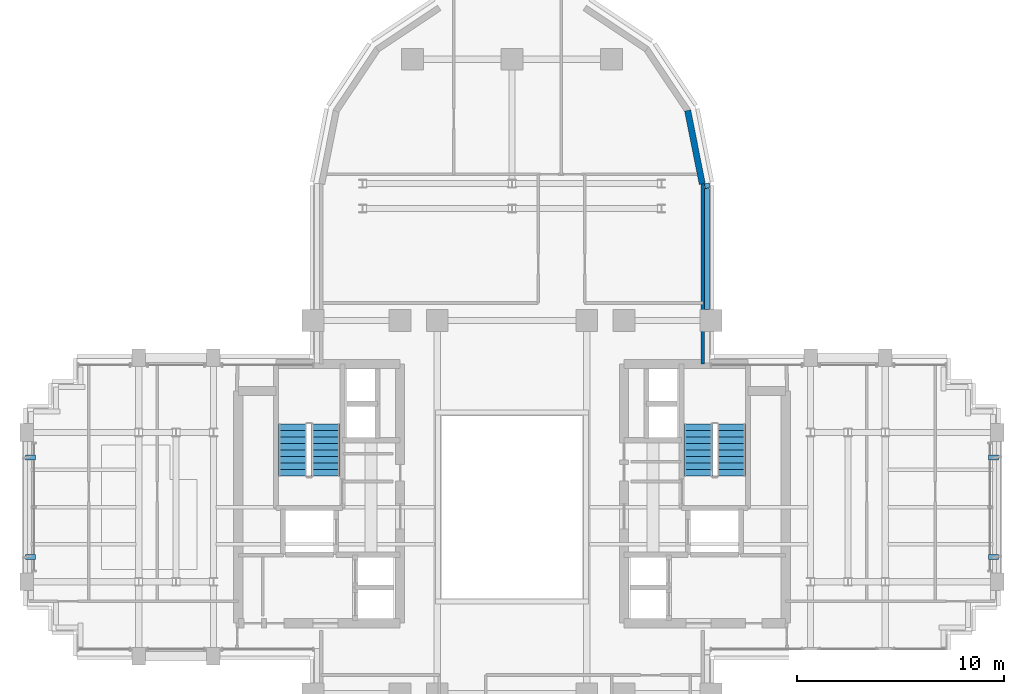
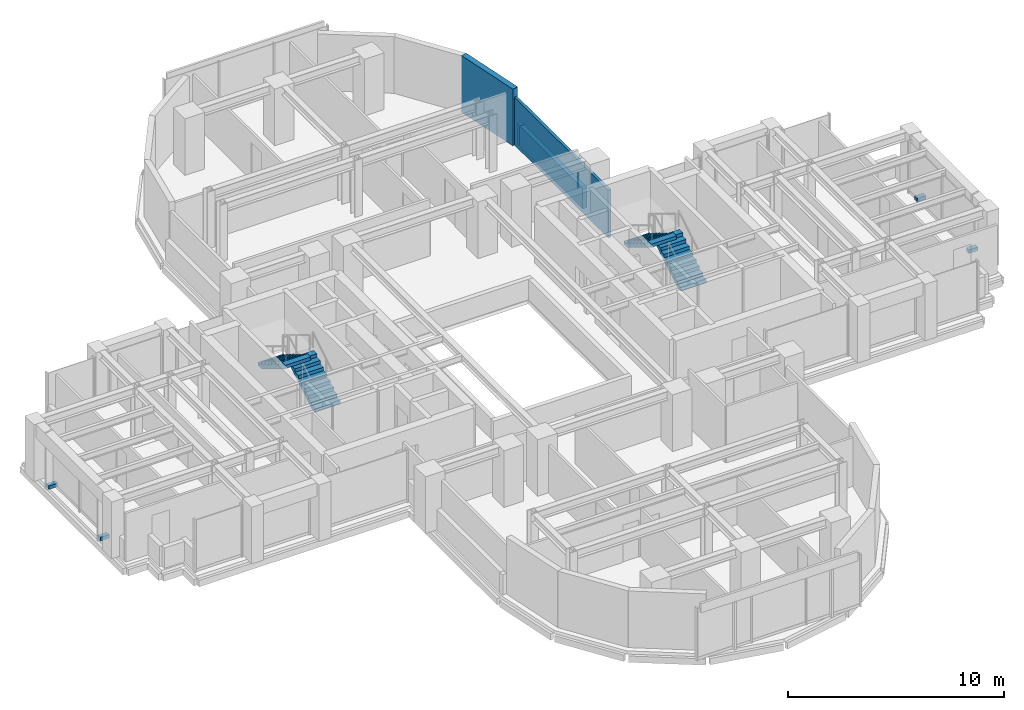
# One storey, part 11 of 14: 4 discrete accessories, 4 stair flights, 4 walls, 2 elements without a shape of their own.
"""IFC4 building model written with IfcOpenShell, lengths in metres."""

from ifc_helpers import new_model, si_unit, direction, frame, frame_2d, origin, origin_2d, place, context, subcontext, project, spatial, polyline, rectangle, outline, extrude, source, transform, mapped, material, layer, layer_set, type_object, element, aggregate, save


model = new_model("IFC4")

# Units and contexts
model_context = context("Model", 3, precision=1e-05, world=origin(), true_north=direction((0.0, 1.0)))
body_context = subcontext(model_context, "Body", "Model", "MODEL_VIEW")
ifc_project = project(units=[si_unit("LENGTHUNIT", "METRE"), si_unit("AREAUNIT", "SQUARE_METRE"), si_unit("VOLUMEUNIT", "CUBIC_METRE"), si_unit("PLANEANGLEUNIT", "RADIAN"), si_unit("MASSUNIT", "GRAM", prefix="KILO")], contexts=[model_context])

# Site, building, storey
site_placement = place(None, origin())
site = spatial("IfcSite", under=ifc_project, at=site_placement, CompositionType="ELEMENT")
building_placement = place(site_placement, origin())
building = spatial("IfcBuilding", under=site, at=building_placement, Name="Keilestroom Media Tower", CompositionType="ELEMENT")
storey_placement = place(building_placement, frame((0.0, 0.0, 121.0)))
storey = spatial("IfcBuildingStorey", under=building, at=storey_placement, Name="L32", CompositionType="ELEMENT", Elevation=121.0)

# Walls
ifc_material_1 = material(Name="Precast concrete C40/50", Category="concrete")
ifc_layer_1 = layer(ifc_material_1, 0.300048828125)
ifc_layer_set_1 = layer_set([ifc_layer_1], Name="Precast concrete C40/50")
wall_type_1 = type_object("IfcWallType", Name="Exterior-Masonry-Spandrel-Wall-300", PredefinedType="SOLIDWALL", material=ifc_layer_set_1)
wall_1_placement = place(storey_placement, frame((9.1748046875, 15.585205078125, 0.0), z_axis=(0.0, 0.0, 1.0), x_axis=(-0.195114232679, 0.980780523974, 0.0)))
element("IfcWall", 1, at=wall_1_placement, inside=storey, type_object=wall_type_1, Name="L32 Lobe Facet Precast Frame Wall 01", PredefinedType="SOLIDWALL", context=body_context, shape_type="SweptSolid", body=[
    extrude(rectangle(XDim=3.608642578125, YDim=0.300048828125, at=frame_2d((1.80419921875, 0.0))), origin(), (0.0, 0.0, 1.0), 3.199951171875),
])
ifc_material_2 = material(Name="Gypsum Plasterboard & Steel Stud", Category="steel")
ifc_layer_2 = layer(ifc_material_2, 0.14990234375)
ifc_layer_set_2 = layer_set([ifc_layer_2], Name="Gypsum Plasterboard & Steel Stud")
wall_type_2 = type_object("IfcWallType", Name="Interior-Partition-Wall-150", PredefinedType="PARTITIONING", material=ifc_layer_set_2)
wall_2_placement = place(storey_placement, frame((9.199951171875, 6.89990234375, 0.0), z_axis=(0.0, 0.0, 1.0), x_axis=(0.0, 1.0, 0.0)))
element("IfcWall", 2, at=wall_2_placement, inside=storey, type_object=wall_type_2, Name="L32 Interior Wall WP-L32-NL-CHKE", PredefinedType="PARTITIONING", context=body_context, shape_type="SweptSolid", body=[
    extrude(rectangle(XDim=8.780029296875, YDim=0.14990234375, at=frame_2d((4.39013671875, 0.0))), origin(), (0.0, 0.0, 1.0), 2.699951171875),
])
ifc_layer_3 = layer(ifc_material_1, 0.239990234375)
ifc_layer_set_3 = layer_set([ifc_layer_3], Name="Precast concrete C40/50")
wall_type_3 = type_object("IfcWallType", Name="Roof-And-Terrace-Parapet-Wall-240", PredefinedType="PARAPET", material=ifc_layer_set_3)
wall_3_placement = place(storey_placement, frame((9.395263671875, 15.604248046875, 0.0), z_axis=(0.0, 0.0, 1.0), x_axis=(0.194652052864, -0.980872355771, 0.0)))
element("IfcWall", 3, at=wall_3_placement, inside=storey, type_object=wall_type_3, Name="L32 Perimeter Edge Parapet Wall 21", PredefinedType="PARAPET", context=body_context, shape_type="SweptSolid", body=[
    extrude(rectangle(XDim=0.224609375, YDim=0.239990234375, at=frame_2d((0.1123046875, 0.0))), origin(), (0.0, 0.0, 1.0), 1.14990234375),
])
wall_4_placement = place(storey_placement, frame((9.39990234375, 15.357666015625, 0.0), z_axis=(0.0, 0.0, 1.0), x_axis=(0.0, -1.0, 0.0)))
element("IfcWall", 4, at=wall_4_placement, inside=storey, type_object=wall_type_3, Name="L32 Perimeter Edge Parapet Wall 22", PredefinedType="PARAPET", context=body_context, shape_type="SweptSolid", body=[
    extrude(rectangle(XDim=5.82958984375, YDim=0.239990234375, at=frame_2d((2.914794921875, 0.0))), origin(), (0.0, 0.0, 1.0), 1.14990234375),
])

# Stair, stair flights
ifc_material_3 = material(Name="Concrete C45/55", Category="concrete")
stair_type = type_object("IfcStairType", Name="Enclosed-Dog-Leg-Stair-ST-CORE", PredefinedType="HALF_TURN_STAIR", material=ifc_material_3)
stair_1_placement = place(storey_placement, origin())
stair_1 = element("IfcStair", 5, at=stair_1_placement, inside=storey, type_object=stair_type, Name="L32 West Core Escape Stair ST-1", PredefinedType="HALF_TURN_STAIR")
stair_flight_type = type_object("IfcStairFlightType", Name="Precast-Concrete-Stair-Flight-Core-160", PredefinedType="STRAIGHT", material=ifc_material_1)
stair_flight_1_placement = place(storey_placement, frame((-8.97998046875, 1.5, 0.0), z_axis=(0.0, 0.0, 1.0), x_axis=(0.0, 1.0, 0.0)))
stair_flight_1 = element("IfcStairFlight", 6, at=stair_flight_1_placement, type_object=stair_flight_type, Name="ST-1 flight 1", NumberOfRisers=9, NumberOfTreads=8, PredefinedType="STRAIGHT", RiserHeight=0.188888889, TreadLength=0.312, context=body_context, shape_type="SweptSolid", body=[
    extrude(outline(polyline([(0.0, 0.0), (0.0, 0.18896484375), (0.31201171875, 0.18896484375), (0.31201171875, 0.377685546875), (0.6240234375, 0.377685546875), (0.6240234375, 0.566650390625), (0.93603515625, 0.566650390625), (0.93603515625, 0.755615234375), (1.248046875, 0.755615234375), (1.248046875, 0.9443359375), (1.56005859375, 0.9443359375), (1.56005859375, 1.13330078125), (1.8720703125, 1.13330078125), (1.8720703125, 1.322265625), (2.18408203125, 1.322265625), (2.18408203125, 1.51123046875), (2.49609375, 1.51123046875), (2.49609375, 1.699951171875), (2.49609375, 1.32421875), (0.308837890625, 0.0), (0.0, 0.0)])), frame((0.0, 0.68017578125, 0.0), z_axis=(0.0, -1.0, 0.0), x_axis=(1.0, 0.0, 0.0)), (0.0, 0.0, 1.0), 1.360107421875),
])
stair_flight_2_placement = place(storey_placement, frame((-10.580078125, 3.99609375, 1.699951171875), z_axis=(0.0, 0.0, 1.0), x_axis=(0.0, -1.0, 0.0)))
stair_flight_2 = element("IfcStairFlight", 7, at=stair_flight_2_placement, type_object=stair_flight_type, Name="ST-1 flight 2", NumberOfRisers=9, NumberOfTreads=8, PredefinedType="STRAIGHT", RiserHeight=0.188888889, TreadLength=0.312, context=body_context, shape_type="SweptSolid", body=[
    extrude(outline(polyline([(0.0, 0.0), (0.0, 0.18896484375), (0.31201171875, 0.18896484375), (0.31201171875, 0.377685546875), (0.6240234375, 0.377685546875), (0.6240234375, 0.566650390625), (0.93603515625, 0.566650390625), (0.93603515625, 0.755615234375), (1.248046875, 0.755615234375), (1.248046875, 0.9443359375), (1.56005859375, 0.9443359375), (1.56005859375, 1.13330078125), (1.8720703125, 1.13330078125), (1.8720703125, 1.322265625), (2.18408203125, 1.322265625), (2.18408203125, 1.51123046875), (2.49609375, 1.51123046875), (2.49609375, 1.699951171875), (2.49609375, 1.32421875), (0.308837890625, 0.0), (0.0, 0.0)])), frame((0.0, 0.68017578125, 0.0), z_axis=(0.0, -1.0, 0.0), x_axis=(1.0, 0.0, 0.0)), (0.0, 0.0, 1.0), 1.360107421875),
])
aggregate(stair_1, [stair_flight_1, stair_flight_2])

stair_2_placement = place(storey_placement, origin())
stair_2 = element("IfcStair", 8, at=stair_2_placement, inside=storey, type_object=stair_type, Name="L32 East Core Escape Stair ST-2", PredefinedType="HALF_TURN_STAIR")
stair_flight_3_placement = place(storey_placement, frame((10.580078125, 1.5, 0.0), z_axis=(0.0, 0.0, 1.0), x_axis=(0.0, 1.0, 0.0)))
stair_flight_3 = element("IfcStairFlight", 9, at=stair_flight_3_placement, type_object=stair_flight_type, Name="ST-2 flight 1", NumberOfRisers=9, NumberOfTreads=8, PredefinedType="STRAIGHT", RiserHeight=0.188888889, TreadLength=0.312, context=body_context, shape_type="SweptSolid", body=[
    extrude(outline(polyline([(0.0, 0.0), (0.0, 0.18896484375), (0.31201171875, 0.18896484375), (0.31201171875, 0.377685546875), (0.6240234375, 0.377685546875), (0.6240234375, 0.566650390625), (0.93603515625, 0.566650390625), (0.93603515625, 0.755615234375), (1.248046875, 0.755615234375), (1.248046875, 0.9443359375), (1.56005859375, 0.9443359375), (1.56005859375, 1.13330078125), (1.8720703125, 1.13330078125), (1.8720703125, 1.322265625), (2.18408203125, 1.322265625), (2.18408203125, 1.51123046875), (2.49609375, 1.51123046875), (2.49609375, 1.699951171875), (2.49609375, 1.32421875), (0.308837890625, 0.0), (0.0, 0.0)])), frame((0.0, 0.68017578125, 0.0), z_axis=(0.0, -1.0, 0.0), x_axis=(1.0, 0.0, 0.0)), (0.0, 0.0, 1.0), 1.360107421875),
])
stair_flight_4_placement = place(storey_placement, frame((8.97998046875, 3.99609375, 1.699951171875), z_axis=(0.0, 0.0, 1.0), x_axis=(0.0, -1.0, 0.0)))
stair_flight_4 = element("IfcStairFlight", 10, at=stair_flight_4_placement, type_object=stair_flight_type, Name="ST-2 flight 2", NumberOfRisers=9, NumberOfTreads=8, PredefinedType="STRAIGHT", RiserHeight=0.188888889, TreadLength=0.312, context=body_context, shape_type="SweptSolid", body=[
    extrude(outline(polyline([(0.0, 0.0), (0.0, 0.18896484375), (0.31201171875, 0.18896484375), (0.31201171875, 0.377685546875), (0.6240234375, 0.377685546875), (0.6240234375, 0.566650390625), (0.93603515625, 0.566650390625), (0.93603515625, 0.755615234375), (1.248046875, 0.755615234375), (1.248046875, 0.9443359375), (1.56005859375, 0.9443359375), (1.56005859375, 1.13330078125), (1.8720703125, 1.13330078125), (1.8720703125, 1.322265625), (2.18408203125, 1.322265625), (2.18408203125, 1.51123046875), (2.49609375, 1.51123046875), (2.49609375, 1.699951171875), (2.49609375, 1.32421875), (0.308837890625, 0.0), (0.0, 0.0)])), frame((0.0, 0.68017578125, 0.0), z_axis=(0.0, -1.0, 0.0), x_axis=(1.0, 0.0, 0.0)), (0.0, 0.0, 1.0), 1.360107421875),
])
aggregate(stair_2, [stair_flight_3, stair_flight_4])

# Discrete accessories
ifc_material_4 = material(Name="Stainless Steel 1.4401", Category="steel")
discrete_accessory_type = type_object("IfcDiscreteAccessoryType", Name="Facade-Fin-Fixing-Bracket-BRK-1", PredefinedType="BRACKET", material=ifc_material_4)
shared_shape = source(origin(), body_context, "Body", "SweptSolid", [
    extrude(rectangle(XDim=0.47998046875, YDim=0.239990234375, at=origin_2d()), origin(), (0.0, 0.0, 1.0), 0.199951171875),
])
for number, where, z_axis, x_axis, name in (
    (11, (-23.2099609375, -2.39990234375, -0.009765625), (0.0, 0.0, 1.0), (1.0, 0.0, 0.0), "L32 Sunshade Fin Bracket BRK-1 037"),
    (12, (-23.2099609375, 2.39990234375, -0.009765625), (0.0, 0.0, 1.0), (1.0, 0.0, 0.0), "L32 Sunshade Fin Bracket BRK-1 038"),
    (13, (23.2099609375, -2.39990234375, -0.009765625), (0.0, 0.0, 1.0), (1.0, 0.0, 0.0), "L32 Sunshade Fin Bracket BRK-1 039"),
    (14, (23.2099609375, 2.39990234375, -0.009765625), (0.0, 0.0, 1.0), (1.0, 0.0, 0.0), "L32 Sunshade Fin Bracket BRK-1 040"),
):
    element("IfcDiscreteAccessory", number, at=place(storey_placement, frame(where, z_axis=z_axis, x_axis=x_axis)), inside=storey, type_object=discrete_accessory_type, Name=name, PredefinedType="BRACKET", context=body_context, shape_type="MappedRepresentation", body=[
        mapped(shared_shape, transform((0.0, 0.0, 0.0), x_axis=(1.0, 0.0, 0.0), y_axis=(0.0, 1.0, 0.0), z_axis=(0.0, 0.0, 1.0), scale=1.0)),
    ])

save(model, "model.ifc")
